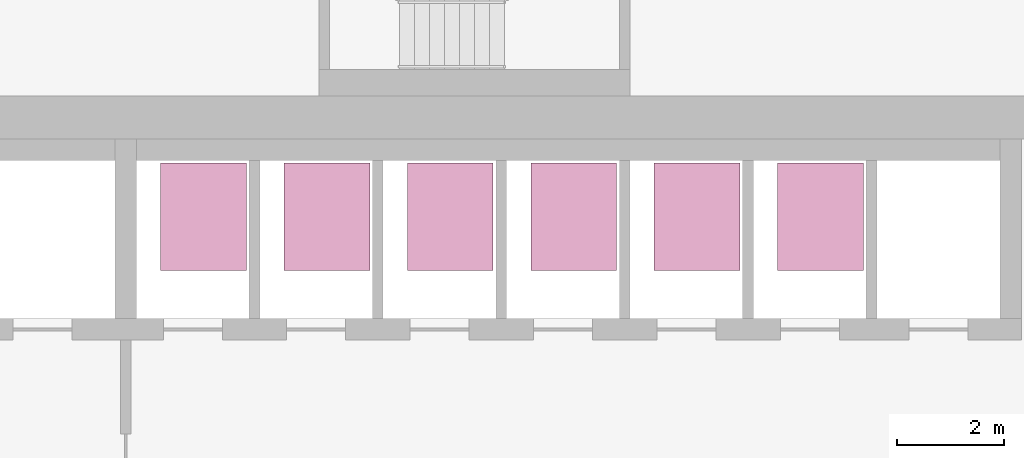
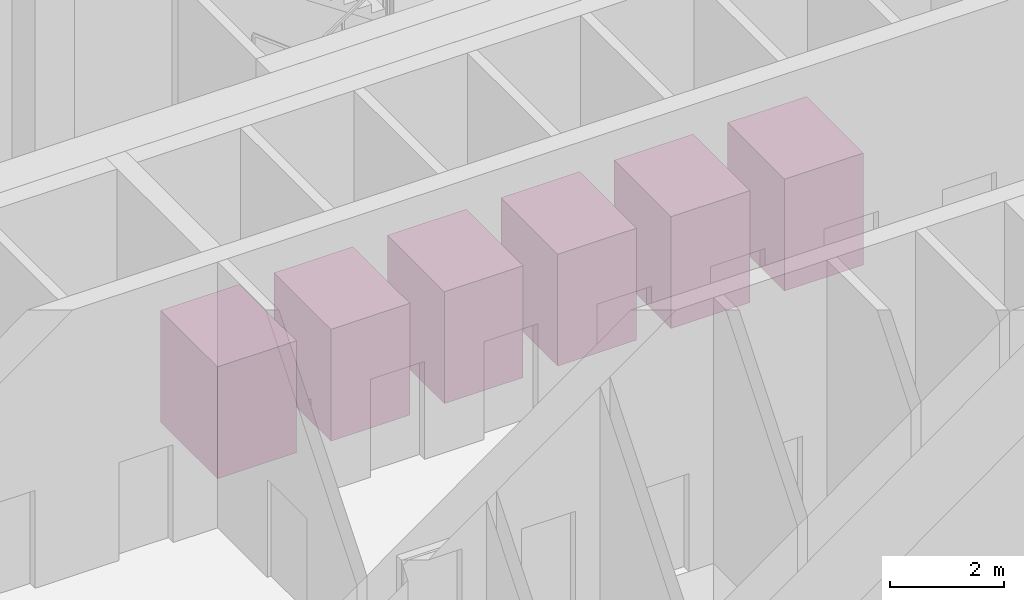
# One storey, part 26 of 27: 6 transport elements.
"""IFC4 building model written with IfcOpenShell, lengths in metres."""

from ifc_helpers import new_model, si_unit, direction, frame, origin, origin_2d, place, context, subcontext, project, spatial, rectangle, extrude, material, type_object, element, save


model = new_model("IFC4")

# Units and contexts
model_context = context("Model", 3, precision=1e-05, world=origin(), true_north=direction((0.0, 1.0)))
body_context = subcontext(model_context, "Body", "Model", "MODEL_VIEW")
ifc_project = project(units=[si_unit("LENGTHUNIT", "METRE"), si_unit("AREAUNIT", "SQUARE_METRE"), si_unit("VOLUMEUNIT", "CUBIC_METRE"), si_unit("PLANEANGLEUNIT", "RADIAN"), si_unit("MASSUNIT", "GRAM", prefix="KILO")], contexts=[model_context])

# Site, building, storey
site_placement = place(None, origin())
site = spatial("IfcSite", under=ifc_project, at=site_placement, CompositionType="ELEMENT")
building_placement = place(site_placement, origin())
building = spatial("IfcBuilding", under=site, at=building_placement, Name="Beryl Residences", CompositionType="ELEMENT")
storey_placement = place(building_placement, frame((0.0, 0.0, 111.60009765625)))
storey = spatial("IfcBuildingStorey", under=building, at=storey_placement, Name="L34", CompositionType="ELEMENT", Elevation=111.60009765625)

# Transport elements
ifc_material = material(Name="Stainless steel and glass lift car", Category="steel")
transport_element_type = type_object("IfcTransportElementType", Name="LC1 passenger lift car 1600 x 2000 mm", PredefinedType="ELEVATOR", material=ifc_material)
for number, where, z_axis, x_axis, name in (
    (1, (-5.050048828125, -7.25, 0.0), (0.0, 0.0, 1.0), (1.0, 0.0, 0.0), "HR1 high-rise lift car"),
    (2, (-2.75, -7.25, 0.0), (0.0, 0.0, 1.0), (1.0, 0.0, 0.0), "HR2 high-rise lift car"),
    (3, (-0.449951171875, -7.25, 0.0), (0.0, 0.0, 1.0), (1.0, 0.0, 0.0), "HR3 high-rise lift car"),
    (4, (1.85009765625, -7.25, 0.0), (0.0, 0.0, 1.0), (1.0, 0.0, 0.0), "HR4 high-rise lift car"),
    (5, (4.14990234375, -7.25, 0.0), (0.0, 0.0, 1.0), (1.0, 0.0, 0.0), "HR5 high-rise lift car"),
    (6, (6.449951171875, -7.25, 0.0), (0.0, 0.0, 1.0), (1.0, 0.0, 0.0), "HR6 high-rise lift car"),
):
    element("IfcTransportElement", number, at=place(storey_placement, frame(where, z_axis=z_axis, x_axis=x_axis)), inside=storey, type_object=transport_element_type, Name=name, PredefinedType="ELEVATOR", context=body_context, shape_type="SweptSolid", body=[
        extrude(rectangle(XDim=1.60009765625, YDim=2.0, at=origin_2d()), origin(), (0.0, 0.0, 1.0), 2.39990234375),
    ])

save(model, "model.ifc")
